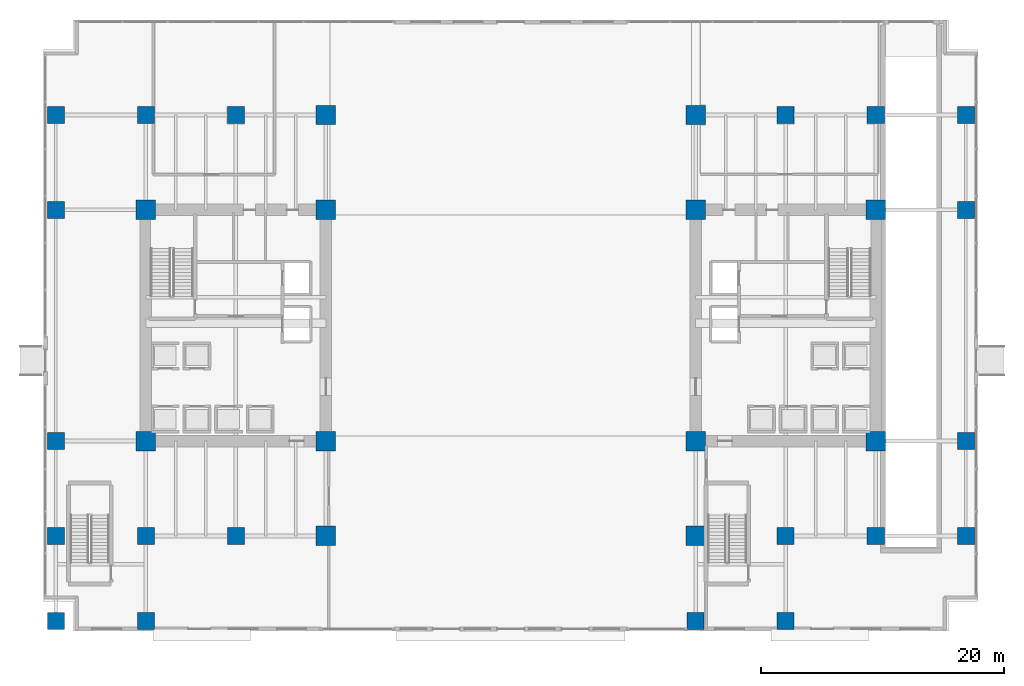
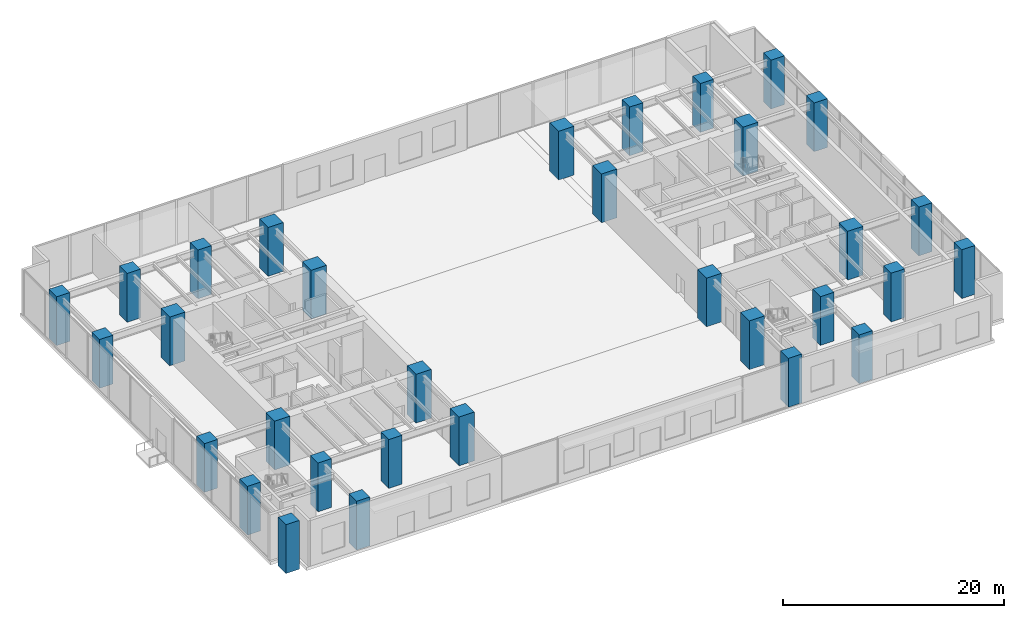
# One storey, part 1 of 28: 32 columns.
"""IFC4 building model written with IfcOpenShell, lengths in metres."""

import ifcopenshell
import ifcopenshell.guid

model = None  # the IFC model being written
_history = None  # IfcOwnerHistory: only IFC2X3 demands one
_inside = {}  # id of a spatial element -> (the spatial element, [elements in it])
_under = {}  # id of a project, library or spatial element -> (it, [spatial elements below it])
_declared = {}  # id of a project -> (the project, [libraries it declares])
_typed = {}  # id of a type object -> (the type object, [elements of that type])
_made_of = {}  # id of a material, layer set ... -> (it, [elements and type objects made of it])


def new_model(schema):
    """Start an empty IFC model of exactly this schema.

    Asked for "IFC4X3", IfcOpenShell would pick the latest addendum, in which some entities
    have other attributes; the version numbers below select the first issue.
    IFC2X3 requires an IfcOwnerHistory on every rooted entity: one is made here for all.
    """
    global model, _history
    if schema == "IFC4X3":
        model = ifcopenshell.file(schema_version=(4, 3, 0, 0))
    else:
        model = ifcopenshell.file(schema=schema)
    _inside.clear()
    _under.clear()
    _declared.clear()
    _typed.clear()
    _made_of.clear()
    _history = None
    if model.schema == "IFC2X3":
        org = make("IfcOrganization", Name="unknown")
        user = make(
            "IfcPersonAndOrganization",
            ThePerson=make("IfcPerson", FamilyName="unknown"),
            TheOrganization=org,
        )
        app = make(
            "IfcApplication",
            ApplicationDeveloper=org,
            Version="unknown",
            ApplicationFullName="unknown",
            ApplicationIdentifier="unknown",
        )
        _history = make(
            "IfcOwnerHistory",
            OwningUser=user,
            OwningApplication=app,
            ChangeAction="ADDED",
            CreationDate=0,
        )
    return model


def make(cls, **values):
    """One entity of the class cls with the attributes given. An attribute that is None is left unset."""
    return model.create_entity(
        cls, **{name: value for name, value in values.items() if value is not None}
    )


def rooted(cls, **values):
    """An entity with a GlobalId (a new one), such as an element, a storey or a relation."""
    return make(cls, GlobalId=ifcopenshell.guid.new(), OwnerHistory=_history, **values)


def si_unit(unit_type, name, prefix=None):
    """IfcSIUnit, for example si_unit("LENGTHUNIT", "METRE", prefix="MILLI")."""
    return make("IfcSIUnit", UnitType=unit_type, Prefix=prefix, Name=name)


def assignment(units):
    """IfcUnitAssignment: the units of a project."""
    return None if units is None else make("IfcUnitAssignment", Units=units)


def point(xyz):
    """IfcCartesianPoint."""
    return None if xyz is None else make("IfcCartesianPoint", Coordinates=xyz)


def direction(xyz):
    """IfcDirection."""
    return None if xyz is None else make("IfcDirection", DirectionRatios=xyz)


def frame(location, z_axis=None, x_axis=None):
    """IfcAxis2Placement3D, a coordinate frame: its origin and axes. An axis left out is left unset."""
    return make(
        "IfcAxis2Placement3D",
        Location=point(location),
        Axis=direction(z_axis),
        RefDirection=direction(x_axis),
    )


def frame_2d(location, x_axis=None):
    """IfcAxis2Placement2D, a coordinate frame in the plane: its origin and x axis."""
    return make(
        "IfcAxis2Placement2D", Location=point(location), RefDirection=direction(x_axis)
    )


def origin():
    """The frame at (0, 0, 0) with its axes left unset."""
    return frame((0.0, 0.0, 0.0))


def origin_2d():
    """The frame at (0, 0) in the plane with its x axis left unset."""
    return frame_2d((0.0, 0.0))


def place(relative_to, where):
    """IfcLocalPlacement: puts the frame where relative to a parent placement (None: the world)."""
    return make(
        "IfcLocalPlacement", PlacementRelTo=relative_to, RelativePlacement=where
    )


def context(
    kind, dimensions, precision=None, world=None, true_north=None, identifier=None
):
    """IfcGeometricRepresentationContext, for example the 3D "Model" context."""
    return make(
        "IfcGeometricRepresentationContext",
        ContextIdentifier=identifier,
        ContextType=kind,
        CoordinateSpaceDimension=dimensions,
        Precision=precision,
        WorldCoordinateSystem=world,
        TrueNorth=true_north,
    )


def subcontext(parent, identifier, kind, view, scale=None):
    """IfcGeometricRepresentationSubContext, for example "Body" below "Model"."""
    return make(
        "IfcGeometricRepresentationSubContext",
        ContextIdentifier=identifier,
        ContextType=kind,
        ParentContext=parent,
        TargetScale=scale,
        TargetView=view,
    )


def project(units=None, contexts=None):
    """IfcProject with its units and contexts."""
    return rooted(
        "IfcProject",
        Name="project",
        RepresentationContexts=contexts,
        UnitsInContext=assignment(units),
    )


def spatial(cls, under=None, at=None, **own):
    """A site, building, storey or space (cls), placed at a placement, below another one or the project."""
    s = rooted(cls, ObjectPlacement=at, **own)
    if under is not None:
        _under.setdefault(under.id(), (under, []))[1].append(s)
    return s


def profile(cls, at=None, kind="AREA", **sizes):
    """A parametric profile (cls). Its sizes go by their IFC names, for example OverallWidth=200.0."""
    return make(cls, ProfileType=kind, Position=at, **sizes)


def rectangle(**sizes):
    """IfcRectangleProfileDef."""
    return profile("IfcRectangleProfileDef", **sizes)


def extrude(swept, where, along, depth):
    """IfcExtrudedAreaSolid: the profile swept, set in the frame where, extruded along a direction by depth."""
    return make(
        "IfcExtrudedAreaSolid",
        SweptArea=swept,
        Position=where,
        ExtrudedDirection=direction(along),
        Depth=depth,
    )


def shape(context_of_items, identifier, shape_type, items):
    """IfcShapeRepresentation: the items that make up one representation, for example the "Body"."""
    return make(
        "IfcShapeRepresentation",
        ContextOfItems=context_of_items,
        RepresentationIdentifier=identifier,
        RepresentationType=shape_type,
        Items=items,
    )


def source(mapping_origin, context_of_items, identifier, shape_type, items):
    """IfcRepresentationMap: a shape defined once, which mapped items show again and again."""
    return make(
        "IfcRepresentationMap",
        MappingOrigin=mapping_origin,
        MappedRepresentation=shape(context_of_items, identifier, shape_type, items),
    )


def transform(
    local_origin,
    x_axis=None,
    y_axis=None,
    z_axis=None,
    scale=None,
    scale2=None,
    scale3=None,
    uniform=True,
):
    """IfcCartesianTransformationOperator3D, or its non-uniform kind. x_axis, y_axis, z_axis: its Axis1, 2, 3."""
    if uniform:
        return make(
            "IfcCartesianTransformationOperator3D",
            Axis1=direction(x_axis),
            Axis2=direction(y_axis),
            LocalOrigin=point(local_origin),
            Scale=scale,
            Axis3=direction(z_axis),
        )
    return make(
        "IfcCartesianTransformationOperator3DnonUniform",
        Axis1=direction(x_axis),
        Axis2=direction(y_axis),
        LocalOrigin=point(local_origin),
        Scale=scale,
        Axis3=direction(z_axis),
        Scale2=scale2,
        Scale3=scale3,
    )


def mapped(mapping_source, mapping_target):
    """IfcMappedItem: shows the shape of a source again, moved by a transform."""
    return make(
        "IfcMappedItem", MappingSource=mapping_source, MappingTarget=mapping_target
    )


def material(Name=None, Category=None):
    """IfcMaterial."""
    return make("IfcMaterial", Name=Name, Category=Category)


def material_profile(
    of_material, cross_section, Name=None, Category=None, Priority=None
):
    """IfcMaterialProfile: a cross section and its material."""
    return make(
        "IfcMaterialProfile",
        Name=Name,
        Material=of_material,
        Profile=cross_section,
        Priority=Priority,
        Category=Category,
    )


def profile_set(profiles, Name=None, composite=None):
    """IfcMaterialProfileSet."""
    return make(
        "IfcMaterialProfileSet",
        Name=Name,
        MaterialProfiles=profiles,
        CompositeProfile=composite,
    )


def made_of(thing, what):
    """Note that an element or type object is made of a material, layer set ...; save() writes the relation."""
    if what is not None:
        _made_of.setdefault(what.id(), (what, []))[1].append(thing)
    return thing


def type_object(cls, material=None, **own):
    """A type object (cls), such as IfcWallType, which elements share."""
    return made_of(rooted(cls, **own), material)


def type_shapes(of_type, sources):
    """Give a type object the sources (RepresentationMaps) that its elements show as mapped items."""
    of_type.RepresentationMaps = sources


def element(
    cls,
    number,
    at=None,
    inside=None,
    cuts=None,
    type_object=None,
    material=None,
    context=None,
    identifier="Body",
    shape_type=None,
    held_by="IfcProductDefinitionShape",
    body=None,
    shapes=None,
    **own,
):
    """One element of the class cls, such as IfcWall. Its Tag is "e" and its number.

    at: its placement. inside: the storey or other place that contains it. cuts: it is an
    opening in that element (IfcRelVoidsElement). A single representation is given by context,
    identifier, shape_type and body (its items); several are given by shapes. held_by: the class
    of the entity that holds the representations. save() writes the other relations.
    """
    e = rooted(cls, Tag="e%d" % number, ObjectPlacement=at, **own)
    if body is not None:
        shapes = [shape(context, identifier, shape_type, body)]
    if shapes is not None:
        e.Representation = make(held_by, Representations=shapes)
    if inside is not None:
        _inside.setdefault(inside.id(), (inside, []))[1].append(e)
    if cuts is not None:
        rooted(
            "IfcRelVoidsElement", RelatingBuildingElement=cuts, RelatedOpeningElement=e
        )
    if type_object is not None:
        _typed.setdefault(type_object.id(), (type_object, []))[1].append(e)
    return made_of(e, material)


def aggregate(whole, parts):
    """IfcRelAggregates: a whole, such as a stair, and the parts it consists of."""
    return rooted("IfcRelAggregates", RelatingObject=whole, RelatedObjects=parts)


def save(model, path):
    """Write the relations noted so far, then the file.

    IfcRelAggregates (storeys below a building ...), IfcRelContainedInSpatialStructure (elements
    in a storey), IfcRelDefinesByType, IfcRelAssociatesMaterial and IfcRelDeclares: one each for
    every whole, place, type object, material and project.
    """
    for whole, parts in _under.values():
        aggregate(whole, parts)
    for where, things in _inside.values():
        rooted(
            "IfcRelContainedInSpatialStructure",
            RelatedElements=things,
            RelatingStructure=where,
        )
    for kind, things in _typed.values():
        rooted("IfcRelDefinesByType", RelatedObjects=things, RelatingType=kind)
    for what, things in _made_of.values():
        rooted("IfcRelAssociatesMaterial", RelatedObjects=things, RelatingMaterial=what)
    for by, libraries in _declared.values():
        rooted("IfcRelDeclares", RelatingContext=by, RelatedDefinitions=libraries)
    model.write(path)


model = new_model("IFC4")

# Units and contexts
model_context = context("Model", 3, precision=1e-05, world=origin(), true_north=direction((0.0, 1.0)))
body_context = subcontext(model_context, "Body", "Model", "MODEL_VIEW")
ifc_project = project(units=[si_unit("LENGTHUNIT", "METRE"), si_unit("AREAUNIT", "SQUARE_METRE"), si_unit("VOLUMEUNIT", "CUBIC_METRE"), si_unit("PLANEANGLEUNIT", "RADIAN"), si_unit("MASSUNIT", "GRAM", prefix="KILO")], contexts=[model_context])

# Site, building, storey
site_placement = place(None, origin())
site = spatial("IfcSite", under=ifc_project, at=site_placement, CompositionType="ELEMENT")
building_placement = place(site_placement, origin())
building = spatial("IfcBuilding", under=site, at=building_placement, Name="Haelvirn Gate Laboratories", CompositionType="ELEMENT")
storey_placement = place(building_placement, origin())
storey = spatial("IfcBuildingStorey", under=building, at=storey_placement, Name="L01", CompositionType="ELEMENT", Elevation=0.0)

# Columns
ifc_material = material(Name="Concrete C70/85", Category="concrete")
ifc_material_profile_1 = material_profile(ifc_material, rectangle(XDim=1.39990234375, YDim=1.39990234375, at=origin_2d()), Name="SRC-1400x1400")
ifc_profile_set_1 = profile_set([ifc_material_profile_1], Name="Concrete C70/85")
column_type_1 = type_object("IfcColumnType", Name="COL-SRC-1400", PredefinedType="COLUMN", material=ifc_profile_set_1)
shared_shape_1 = source(origin(), body_context, "Body", "SweptSolid", [
    extrude(rectangle(XDim=1.39990234375, YDim=1.39990234375, at=origin_2d()), origin(), (0.0, 0.0, 1.0), 5.39990234375),
])
type_shapes(column_type_1, [shared_shape_1])
for number, where, z_axis, x_axis, name in (
    (1, (14.800048828125, 7.0, 0.0), (0.0, 0.0, 1.0), (1.0, 0.0, 0.0), "L01 Column 3B"),
    (2, (14.800048828125, 41.60009765625, 0.0), (0.0, 0.0, 1.0), (1.0, 0.0, 0.0), "L01 Column 3G"),
    (3, (60.0, 7.0, 0.0), (0.0, 0.0, 1.0), (1.0, 0.0, 0.0), "L01 Column 9B"),
    (4, (60.0, 41.60009765625, 0.0), (0.0, 0.0, 1.0), (1.0, 0.0, 0.0), "L01 Column 9G"),
    (5, (7.39990234375, 7.0, 0.0), (0.0, 0.0, 1.0), (1.0, 0.0, 0.0), "L01 Column 2B"),
    (6, (7.39990234375, 41.60009765625, 0.0), (0.0, 0.0, 1.0), (1.0, 0.0, 0.0), "L01 Column 2G"),
    (7, (67.39990234375, 7.0, 0.0), (0.0, 0.0, 1.0), (1.0, 0.0, 0.0), "L01 Column 10B"),
    (8, (67.39990234375, 41.60009765625, 0.0), (0.0, 0.0, 1.0), (1.0, 0.0, 0.0), "L01 Column 10G"),
    (9, (0.0, 7.0, 0.0), (0.0, 0.0, 1.0), (1.0, 0.0, 0.0), "L01 Column 1B"),
    (10, (0.0, 14.800048828125, 0.0), (0.0, 0.0, 1.0), (1.0, 0.0, 0.0), "L01 Column 1C"),
    (11, (0.0, 33.800048828125, 0.0), (0.0, 0.0, 1.0), (1.0, 0.0, 0.0), "L01 Column 1F"),
    (12, (0.0, 41.60009765625, 0.0), (0.0, 0.0, 1.0), (1.0, 0.0, 0.0), "L01 Column 1G"),
    (13, (74.800048828125, 7.0, 0.0), (0.0, 0.0, 1.0), (1.0, 0.0, 0.0), "L01 Column 11B"),
    (14, (74.800048828125, 14.800048828125, 0.0), (0.0, 0.0, 1.0), (1.0, 0.0, 0.0), "L01 Column 11C"),
    (15, (74.800048828125, 33.800048828125, 0.0), (0.0, 0.0, 1.0), (1.0, 0.0, 0.0), "L01 Column 11F"),
    (16, (74.800048828125, 41.60009765625, 0.0), (0.0, 0.0, 1.0), (1.0, 0.0, 0.0), "L01 Column 11G"),
    (17, (0.0, 0.0, 0.0), (0.0, 0.0, 1.0), (1.0, 0.0, 0.0), "L01 Column 1A"),
    (18, (7.39990234375, 0.0, 0.0), (0.0, 0.0, 1.0), (1.0, 0.0, 0.0), "L01 Column 2A"),
    (19, (52.60009765625, 0.0, 0.0), (0.0, 0.0, 1.0), (1.0, 0.0, 0.0), "L01 Column 8A"),
    (20, (60.0, 0.0, 0.0), (0.0, 0.0, 1.0), (1.0, 0.0, 0.0), "L01 Column 9A"),
):
    element("IfcColumn", number, at=place(storey_placement, frame(where, z_axis=z_axis, x_axis=x_axis)), inside=storey, type_object=column_type_1, Name=name, PredefinedType="COLUMN", context=body_context, shape_type="MappedRepresentation", body=[
        mapped(shared_shape_1, transform((0.0, 0.0, 0.0), scale=1.0)),
    ])
ifc_material_profile_2 = material_profile(ifc_material, rectangle(XDim=1.60009765625, YDim=1.60009765625, at=origin_2d()), Name="SRC-1600x1600")
ifc_profile_set_2 = profile_set([ifc_material_profile_2], Name="Concrete C70/85")
column_type_2 = type_object("IfcColumnType", Name="COL-SRC-1600", PredefinedType="COLUMN", material=ifc_profile_set_2)
shared_shape_2 = source(origin(), body_context, "Body", "SweptSolid", [
    extrude(rectangle(XDim=1.60009765625, YDim=1.60009765625, at=origin_2d()), origin(), (0.0, 0.0, 1.0), 5.39990234375),
])
type_shapes(column_type_2, [shared_shape_2])
for number, where, z_axis, x_axis, name in (
    (21, (22.199951171875, 7.0, 0.0), (0.0, 0.0, 1.0), (1.0, 0.0, 0.0), "L01 Column 4B"),
    (22, (7.39990234375, 14.800048828125, 0.0), (0.0, 0.0, 1.0), (1.0, 0.0, 0.0), "L01 Column 2C"),
    (23, (22.199951171875, 14.800048828125, 0.0), (0.0, 0.0, 1.0), (1.0, 0.0, 0.0), "L01 Column 4C"),
    (24, (7.39990234375, 33.800048828125, 0.0), (0.0, 0.0, 1.0), (1.0, 0.0, 0.0), "L01 Column 2F"),
    (25, (22.199951171875, 33.800048828125, 0.0), (0.0, 0.0, 1.0), (1.0, 0.0, 0.0), "L01 Column 4F"),
    (26, (22.199951171875, 41.60009765625, 0.0), (0.0, 0.0, 1.0), (1.0, 0.0, 0.0), "L01 Column 4G"),
    (27, (52.60009765625, 7.0, 0.0), (0.0, 0.0, 1.0), (1.0, 0.0, 0.0), "L01 Column 8B"),
    (28, (52.60009765625, 14.800048828125, 0.0), (0.0, 0.0, 1.0), (1.0, 0.0, 0.0), "L01 Column 8C"),
    (29, (67.39990234375, 14.800048828125, 0.0), (0.0, 0.0, 1.0), (1.0, 0.0, 0.0), "L01 Column 10C"),
    (30, (52.60009765625, 33.800048828125, 0.0), (0.0, 0.0, 1.0), (1.0, 0.0, 0.0), "L01 Column 8F"),
    (31, (67.39990234375, 33.800048828125, 0.0), (0.0, 0.0, 1.0), (1.0, 0.0, 0.0), "L01 Column 10F"),
    (32, (52.60009765625, 41.60009765625, 0.0), (0.0, 0.0, 1.0), (1.0, 0.0, 0.0), "L01 Column 8G"),
):
    element("IfcColumn", number, at=place(storey_placement, frame(where, z_axis=z_axis, x_axis=x_axis)), inside=storey, type_object=column_type_2, Name=name, PredefinedType="COLUMN", context=body_context, shape_type="MappedRepresentation", body=[
        mapped(shared_shape_2, transform((0.0, 0.0, 0.0), scale=1.0)),
    ])

save(model, "model.ifc")
